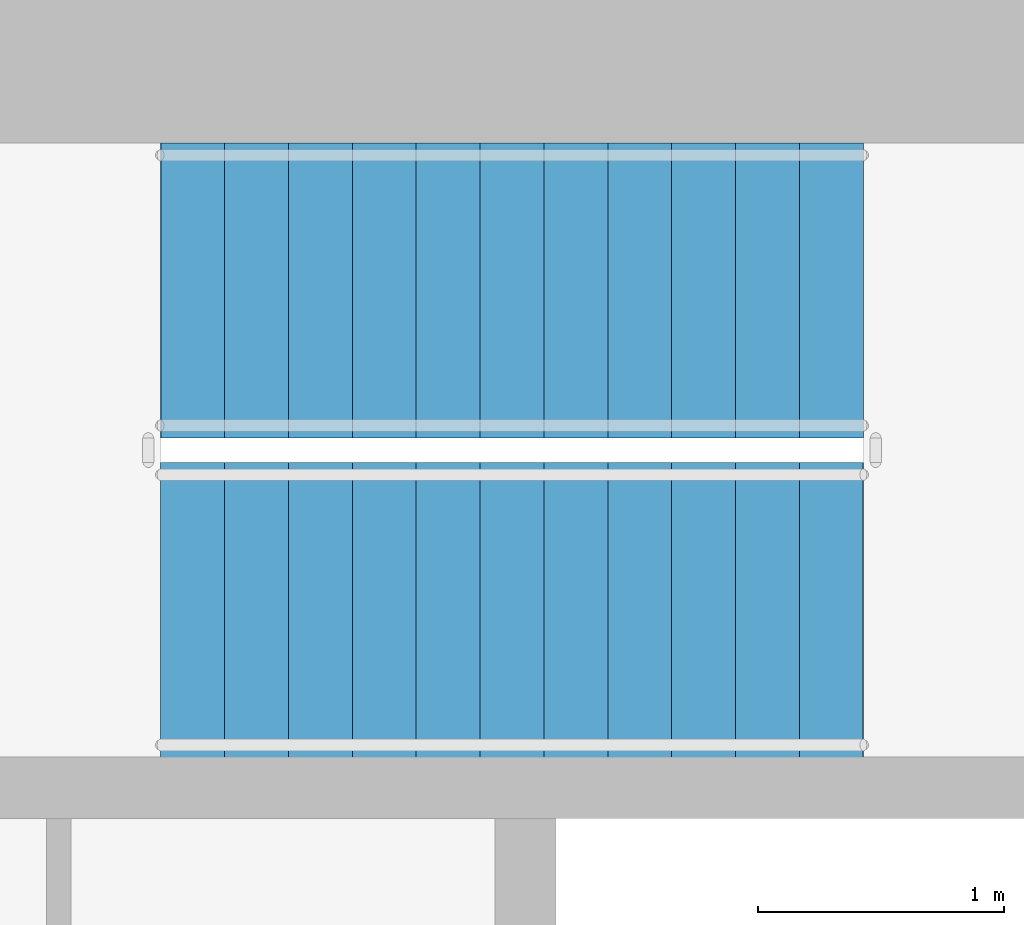
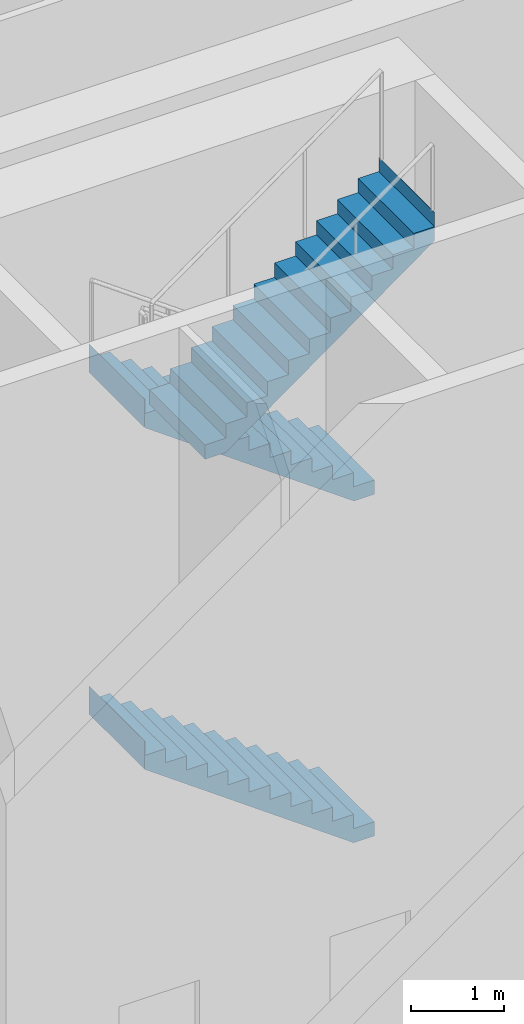
# One storey, part 22 of 35: 3 stair flights, 1 element without a shape of its own.
"""IFC4 building model written with IfcOpenShell, lengths in metres."""

from ifc_helpers import new_model, si_unit, direction, frame, origin, place, context, subcontext, project, spatial, triangles, material, type_object, element, aggregate, save


model = new_model("IFC4")

# Units and contexts
model_context = context("Model", 3, precision=1e-05, world=origin(), true_north=direction((0.0, 1.0)))
body_context = subcontext(model_context, "Body", "Model", "MODEL_VIEW")
ifc_project = project(units=[si_unit("LENGTHUNIT", "METRE"), si_unit("AREAUNIT", "SQUARE_METRE"), si_unit("VOLUMEUNIT", "CUBIC_METRE"), si_unit("PLANEANGLEUNIT", "RADIAN"), si_unit("MASSUNIT", "GRAM", prefix="KILO")], contexts=[model_context])

# Site, building, storey
site_placement = place(None, origin())
site = spatial("IfcSite", under=ifc_project, at=site_placement, CompositionType="ELEMENT")
building_placement = place(site_placement, origin())
building = spatial("IfcBuilding", under=site, at=building_placement, Name="Sahrelin Media Tower", CompositionType="ELEMENT")
storey_placement = place(building_placement, frame((0.0, 0.0, 8.0)))
storey = spatial("IfcBuildingStorey", under=building, at=storey_placement, Name="L01", CompositionType="ELEMENT", Elevation=8.0)

# Stair, stair flights
ifc_material = material(Name="Concrete C40/50", Category="concrete")
stair_type = type_object("IfcStairType", Name="Exit stair 1200", PredefinedType="HALF_TURN_STAIR", material=ifc_material)
stair_placement = place(storey_placement, origin())
stair = element("IfcStair", 1, at=stair_placement, inside=storey, type_object=stair_type, Name="L01 Exit stair ST3", PredefinedType="HALF_TURN_STAIR")
stair_flight_type = type_object("IfcStairFlightType", Name="Stair flight 1200", PredefinedType="STRAIGHT", material=ifc_material)
stair_flight_1_placement = place(storey_placement, frame((7.675048828125, 6.0, 0.0), z_axis=(0.0, 0.0, 1.0), x_axis=(-1.0, 0.0, 0.0)))
stair_flight_1 = element("IfcStairFlight", 2, at=stair_flight_1_placement, type_object=stair_flight_type, Name="ST3 flight 1", NumberOfRisers=12, NumberOfTreads=11, PredefinedType="STRAIGHT", RiserHeight=0.1875, TreadLength=0.26, context=body_context, shape_type="Tessellation", body=[
    triangles([(0.25634765625, 0.60009765625, 0.0), (0.25634765625, 0.300048828125, 0.0), (0.25634765625, 0.0, 0.0), (0.25634765625, -0.300048828125, 0.0), (0.25634765625, -0.60009765625, 0.0), (2.860107421875, 0.60009765625, 1.877685546875), (2.860107421875, 0.300048828125, 1.877685546875), (2.860107421875, 0.0, 1.877685546875), (2.860107421875, -0.300048828125, 1.877685546875), (2.860107421875, -0.60009765625, 1.877685546875), (2.860107421875, 0.60009765625, 2.25), (2.860107421875, 0.300048828125, 2.25), (2.860107421875, 0.0, 2.25), (2.860107421875, -0.300048828125, 2.25), (2.860107421875, -0.60009765625, 2.25), (2.85791015625, 0.60009765625, 2.25), (2.85791015625, 0.300048828125, 2.25), (2.85791015625, 0.0, 2.25), (2.85791015625, -0.300048828125, 2.25), (2.85791015625, -0.60009765625, 2.25), (2.85791015625, 0.60009765625, 2.0625), (2.85791015625, 0.300048828125, 2.0625), (2.85791015625, 0.0, 2.0625), (2.85791015625, -0.300048828125, 2.0625), (2.85791015625, -0.60009765625, 2.0625), (2.60009765625, 0.60009765625, 2.0625), (2.60009765625, 0.300048828125, 2.0625), (2.60009765625, 0.0, 2.0625), (2.60009765625, -0.300048828125, 2.0625), (2.60009765625, -0.60009765625, 2.0625), (2.60009765625, 0.60009765625, 1.875), (2.60009765625, 0.300048828125, 1.875), (2.60009765625, 0.0, 1.875), (2.60009765625, -0.300048828125, 1.875), (2.60009765625, -0.60009765625, 1.875), (2.340087890625, 0.60009765625, 1.875), (2.340087890625, 0.300048828125, 1.875), (2.340087890625, 0.0, 1.875), (2.340087890625, -0.300048828125, 1.875), (2.340087890625, -0.60009765625, 1.875), (2.340087890625, 0.60009765625, 1.6875), (2.340087890625, 0.300048828125, 1.6875), (2.340087890625, 0.0, 1.6875), (2.340087890625, -0.300048828125, 1.6875), (2.340087890625, -0.60009765625, 1.6875), (2.080078125, 0.60009765625, 1.6875), (2.080078125, 0.300048828125, 1.6875), (2.080078125, 0.0, 1.6875), (2.080078125, -0.300048828125, 1.6875), (2.080078125, -0.60009765625, 1.6875), (2.080078125, 0.60009765625, 1.5), (2.080078125, 0.300048828125, 1.5), (2.080078125, 0.0, 1.5), (2.080078125, -0.300048828125, 1.5), (2.080078125, -0.60009765625, 1.5), (1.820068359375, 0.60009765625, 1.5), (1.820068359375, 0.300048828125, 1.5), (1.820068359375, 0.0, 1.5), (1.820068359375, -0.300048828125, 1.5), (1.820068359375, -0.60009765625, 1.5), (1.820068359375, 0.60009765625, 1.3125), (1.820068359375, 0.300048828125, 1.3125), (1.820068359375, 0.0, 1.3125), (1.820068359375, -0.300048828125, 1.3125), (1.820068359375, -0.60009765625, 1.3125), (1.56005859375, 0.60009765625, 1.3125), (1.56005859375, 0.300048828125, 1.3125), (1.56005859375, 0.0, 1.3125), (1.56005859375, -0.300048828125, 1.3125), (1.56005859375, -0.60009765625, 1.3125), (1.56005859375, 0.60009765625, 1.125), (1.56005859375, 0.300048828125, 1.125), (1.56005859375, 0.0, 1.125), (1.56005859375, -0.300048828125, 1.125), (1.56005859375, -0.60009765625, 1.125), (1.300048828125, 0.60009765625, 1.125), (1.300048828125, 0.300048828125, 1.125), (1.300048828125, 0.0, 1.125), (1.300048828125, -0.300048828125, 1.125), (1.300048828125, -0.60009765625, 1.125), (1.300048828125, 0.60009765625, 0.9375), (1.300048828125, 0.300048828125, 0.9375), (1.300048828125, 0.0, 0.9375), (1.300048828125, -0.300048828125, 0.9375), (1.300048828125, -0.60009765625, 0.9375), (1.0400390625, 0.60009765625, 0.9375), (1.0400390625, 0.300048828125, 0.9375), (1.0400390625, 0.0, 0.9375), (1.0400390625, -0.300048828125, 0.9375), (1.0400390625, -0.60009765625, 0.9375), (1.0400390625, 0.60009765625, 0.75), (1.0400390625, 0.300048828125, 0.75), (1.0400390625, 0.0, 0.75), (1.0400390625, -0.300048828125, 0.75), (1.0400390625, -0.60009765625, 0.75), (0.780029296875, 0.60009765625, 0.75), (0.780029296875, 0.300048828125, 0.75), (0.780029296875, 0.0, 0.75), (0.780029296875, -0.300048828125, 0.75), (0.780029296875, -0.60009765625, 0.75), (0.780029296875, 0.60009765625, 0.5625), (0.780029296875, 0.300048828125, 0.5625), (0.780029296875, 0.0, 0.5625), (0.780029296875, -0.300048828125, 0.5625), (0.780029296875, -0.60009765625, 0.5625), (0.52001953125, 0.60009765625, 0.5625), (0.52001953125, 0.300048828125, 0.5625), (0.52001953125, 0.0, 0.5625), (0.52001953125, -0.300048828125, 0.5625), (0.52001953125, -0.60009765625, 0.5625), (0.52001953125, 0.60009765625, 0.375), (0.52001953125, 0.300048828125, 0.375), (0.52001953125, 0.0, 0.375), (0.52001953125, -0.300048828125, 0.375), (0.52001953125, -0.60009765625, 0.375), (0.260009765625, 0.60009765625, 0.375), (0.260009765625, 0.300048828125, 0.375), (0.260009765625, 0.0, 0.375), (0.260009765625, -0.300048828125, 0.375), (0.260009765625, -0.60009765625, 0.375), (0.260009765625, 0.60009765625, 0.1875), (0.260009765625, 0.300048828125, 0.1875), (0.260009765625, 0.0, 0.1875), (0.260009765625, -0.300048828125, 0.1875), (0.260009765625, -0.60009765625, 0.1875), (0.0, 0.60009765625, 0.1875), (0.0, 0.300048828125, 0.1875), (0.0, 0.0, 0.1875), (0.0, -0.300048828125, 0.1875), (0.0, -0.60009765625, 0.1875), (0.0, 0.60009765625, 0.0), (0.0, 0.300048828125, 0.0), (0.0, 0.0, 0.0), (0.0, -0.300048828125, 0.0), (0.0, -0.60009765625, 0.0)], [[1, 6, 7], [1, 7, 2], [2, 7, 8], [2, 8, 3], [3, 8, 9], [3, 9, 4], [4, 9, 10], [4, 10, 5], [6, 11, 12], [6, 12, 7], [7, 12, 13], [7, 13, 8], [8, 13, 14], [8, 14, 9], [9, 14, 15], [9, 15, 10], [11, 16, 17], [11, 17, 12], [12, 17, 18], [12, 18, 13], [13, 18, 19], [13, 19, 14], [14, 19, 20], [14, 20, 15], [16, 21, 22], [16, 22, 17], [17, 22, 23], [17, 23, 18], [18, 23, 24], [18, 24, 19], [19, 24, 25], [19, 25, 20], [21, 26, 27], [21, 27, 22], [22, 27, 28], [22, 28, 23], [23, 28, 29], [23, 29, 24], [24, 29, 30], [24, 30, 25], [26, 31, 32], [26, 32, 27], [27, 32, 33], [27, 33, 28], [28, 33, 34], [28, 34, 29], [29, 34, 35], [29, 35, 30], [31, 36, 37], [31, 37, 32], [32, 37, 38], [32, 38, 33], [33, 38, 39], [33, 39, 34], [34, 39, 40], [34, 40, 35], [36, 41, 42], [36, 42, 37], [37, 42, 43], [37, 43, 38], [38, 43, 44], [38, 44, 39], [39, 44, 45], [39, 45, 40], [41, 46, 47], [41, 47, 42], [42, 47, 48], [42, 48, 43], [43, 48, 49], [43, 49, 44], [44, 49, 50], [44, 50, 45], [46, 51, 52], [46, 52, 47], [47, 52, 53], [47, 53, 48], [48, 53, 54], [48, 54, 49], [49, 54, 55], [49, 55, 50], [51, 56, 57], [51, 57, 52], [52, 57, 58], [52, 58, 53], [53, 58, 59], [53, 59, 54], [54, 59, 60], [54, 60, 55], [56, 61, 62], [56, 62, 57], [57, 62, 63], [57, 63, 58], [58, 63, 64], [58, 64, 59], [59, 64, 65], [59, 65, 60], [61, 66, 67], [61, 67, 62], [62, 67, 68], [62, 68, 63], [63, 68, 69], [63, 69, 64], [64, 69, 70], [64, 70, 65], [66, 71, 72], [66, 72, 67], [67, 72, 73], [67, 73, 68], [68, 73, 74], [68, 74, 69], [69, 74, 75], [69, 75, 70], [71, 76, 77], [71, 77, 72], [72, 77, 78], [72, 78, 73], [73, 78, 79], [73, 79, 74], [74, 79, 80], [74, 80, 75], [76, 81, 82], [76, 82, 77], [77, 82, 83], [77, 83, 78], [78, 83, 84], [78, 84, 79], [79, 84, 85], [79, 85, 80], [81, 86, 87], [81, 87, 82], [82, 87, 88], [82, 88, 83], [83, 88, 89], [83, 89, 84], [84, 89, 90], [84, 90, 85], [86, 91, 92], [86, 92, 87], [87, 92, 93], [87, 93, 88], [88, 93, 94], [88, 94, 89], [89, 94, 95], [89, 95, 90], [91, 96, 97], [91, 97, 92], [92, 97, 98], [92, 98, 93], [93, 98, 99], [93, 99, 94], [94, 99, 100], [94, 100, 95], [96, 101, 102], [96, 102, 97], [97, 102, 103], [97, 103, 98], [98, 103, 104], [98, 104, 99], [99, 104, 105], [99, 105, 100], [101, 106, 107], [101, 107, 102], [102, 107, 108], [102, 108, 103], [103, 108, 109], [103, 109, 104], [104, 109, 110], [104, 110, 105], [106, 111, 112], [106, 112, 107], [107, 112, 113], [107, 113, 108], [108, 113, 114], [108, 114, 109], [109, 114, 115], [109, 115, 110], [111, 116, 117], [111, 117, 112], [112, 117, 118], [112, 118, 113], [113, 118, 119], [113, 119, 114], [114, 119, 120], [114, 120, 115], [116, 121, 122], [116, 122, 117], [117, 122, 123], [117, 123, 118], [118, 123, 124], [118, 124, 119], [119, 124, 125], [119, 125, 120], [121, 126, 127], [121, 127, 122], [122, 127, 128], [122, 128, 123], [123, 128, 129], [123, 129, 124], [124, 129, 130], [124, 130, 125], [126, 131, 132], [126, 132, 127], [127, 132, 133], [127, 133, 128], [128, 133, 134], [128, 134, 129], [129, 134, 135], [129, 135, 130], [131, 1, 2], [131, 2, 132], [132, 2, 3], [132, 3, 133], [133, 3, 4], [133, 4, 134], [134, 4, 5], [134, 5, 135], [5, 130, 135], [1, 131, 126], [125, 115, 120], [121, 116, 111], [115, 105, 110], [111, 106, 101], [105, 95, 100], [101, 96, 91], [95, 85, 90], [91, 86, 81], [85, 75, 80], [81, 76, 71], [75, 65, 70], [71, 66, 61], [65, 55, 60], [61, 56, 51], [55, 45, 50], [51, 46, 41], [45, 35, 40], [41, 36, 31], [35, 25, 30], [31, 26, 21], [25, 15, 20], [21, 16, 11], [5, 125, 130], [1, 126, 121], [10, 35, 45], [6, 41, 31], [25, 10, 15], [21, 11, 6], [115, 125, 5], [111, 1, 121], [35, 10, 25], [31, 21, 6], [105, 115, 5], [101, 1, 111], [45, 55, 10], [41, 6, 51], [95, 105, 5], [91, 1, 101], [65, 10, 55], [61, 51, 6], [85, 95, 5], [81, 1, 91], [75, 10, 65], [71, 61, 6], [75, 85, 5], [71, 1, 81], [5, 10, 75], [1, 71, 6]], closed=True),
])
stair_flight_2_placement = place(storey_placement, frame((7.675048828125, 6.0, 4.5), z_axis=(0.0, 0.0, 1.0), x_axis=(-1.0, 0.0, 0.0)))
stair_flight_2 = element("IfcStairFlight", 3, at=stair_flight_2_placement, type_object=stair_flight_type, Name="ST3 flight 3", NumberOfRisers=12, NumberOfTreads=11, PredefinedType="STRAIGHT", RiserHeight=0.1875, TreadLength=0.26, context=body_context, shape_type="Tessellation", body=[
    triangles([(0.25634765625, 0.60009765625, 0.0), (0.25634765625, 0.300048828125, 0.0), (0.25634765625, 0.0, 0.0), (0.25634765625, -0.300048828125, 0.0), (0.25634765625, -0.60009765625, 0.0), (2.860107421875, 0.60009765625, 1.877685546875), (2.860107421875, 0.300048828125, 1.877685546875), (2.860107421875, 0.0, 1.877685546875), (2.860107421875, -0.300048828125, 1.877685546875), (2.860107421875, -0.60009765625, 1.877685546875), (2.860107421875, 0.60009765625, 2.25), (2.860107421875, 0.300048828125, 2.25), (2.860107421875, 0.0, 2.25), (2.860107421875, -0.300048828125, 2.25), (2.860107421875, -0.60009765625, 2.25), (2.85791015625, 0.60009765625, 2.25), (2.85791015625, 0.300048828125, 2.25), (2.85791015625, 0.0, 2.25), (2.85791015625, -0.300048828125, 2.25), (2.85791015625, -0.60009765625, 2.25), (2.85791015625, 0.60009765625, 2.0625), (2.85791015625, 0.300048828125, 2.0625), (2.85791015625, 0.0, 2.0625), (2.85791015625, -0.300048828125, 2.0625), (2.85791015625, -0.60009765625, 2.0625), (2.60009765625, 0.60009765625, 2.0625), (2.60009765625, 0.300048828125, 2.0625), (2.60009765625, 0.0, 2.0625), (2.60009765625, -0.300048828125, 2.0625), (2.60009765625, -0.60009765625, 2.0625), (2.60009765625, 0.60009765625, 1.875), (2.60009765625, 0.300048828125, 1.875), (2.60009765625, 0.0, 1.875), (2.60009765625, -0.300048828125, 1.875), (2.60009765625, -0.60009765625, 1.875), (2.340087890625, 0.60009765625, 1.875), (2.340087890625, 0.300048828125, 1.875), (2.340087890625, 0.0, 1.875), (2.340087890625, -0.300048828125, 1.875), (2.340087890625, -0.60009765625, 1.875), (2.340087890625, 0.60009765625, 1.6875), (2.340087890625, 0.300048828125, 1.6875), (2.340087890625, 0.0, 1.6875), (2.340087890625, -0.300048828125, 1.6875), (2.340087890625, -0.60009765625, 1.6875), (2.080078125, 0.60009765625, 1.6875), (2.080078125, 0.300048828125, 1.6875), (2.080078125, 0.0, 1.6875), (2.080078125, -0.300048828125, 1.6875), (2.080078125, -0.60009765625, 1.6875), (2.080078125, 0.60009765625, 1.5), (2.080078125, 0.300048828125, 1.5), (2.080078125, 0.0, 1.5), (2.080078125, -0.300048828125, 1.5), (2.080078125, -0.60009765625, 1.5), (1.820068359375, 0.60009765625, 1.5), (1.820068359375, 0.300048828125, 1.5), (1.820068359375, 0.0, 1.5), (1.820068359375, -0.300048828125, 1.5), (1.820068359375, -0.60009765625, 1.5), (1.820068359375, 0.60009765625, 1.3125), (1.820068359375, 0.300048828125, 1.3125), (1.820068359375, 0.0, 1.3125), (1.820068359375, -0.300048828125, 1.3125), (1.820068359375, -0.60009765625, 1.3125), (1.56005859375, 0.60009765625, 1.3125), (1.56005859375, 0.300048828125, 1.3125), (1.56005859375, 0.0, 1.3125), (1.56005859375, -0.300048828125, 1.3125), (1.56005859375, -0.60009765625, 1.3125), (1.56005859375, 0.60009765625, 1.125), (1.56005859375, 0.300048828125, 1.125), (1.56005859375, 0.0, 1.125), (1.56005859375, -0.300048828125, 1.125), (1.56005859375, -0.60009765625, 1.125), (1.300048828125, 0.60009765625, 1.125), (1.300048828125, 0.300048828125, 1.125), (1.300048828125, 0.0, 1.125), (1.300048828125, -0.300048828125, 1.125), (1.300048828125, -0.60009765625, 1.125), (1.300048828125, 0.60009765625, 0.9375), (1.300048828125, 0.300048828125, 0.9375), (1.300048828125, 0.0, 0.9375), (1.300048828125, -0.300048828125, 0.9375), (1.300048828125, -0.60009765625, 0.9375), (1.0400390625, 0.60009765625, 0.9375), (1.0400390625, 0.300048828125, 0.9375), (1.0400390625, 0.0, 0.9375), (1.0400390625, -0.300048828125, 0.9375), (1.0400390625, -0.60009765625, 0.9375), (1.0400390625, 0.60009765625, 0.75), (1.0400390625, 0.300048828125, 0.75), (1.0400390625, 0.0, 0.75), (1.0400390625, -0.300048828125, 0.75), (1.0400390625, -0.60009765625, 0.75), (0.780029296875, 0.60009765625, 0.75), (0.780029296875, 0.300048828125, 0.75), (0.780029296875, 0.0, 0.75), (0.780029296875, -0.300048828125, 0.75), (0.780029296875, -0.60009765625, 0.75), (0.780029296875, 0.60009765625, 0.5625), (0.780029296875, 0.300048828125, 0.5625), (0.780029296875, 0.0, 0.5625), (0.780029296875, -0.300048828125, 0.5625), (0.780029296875, -0.60009765625, 0.5625), (0.52001953125, 0.60009765625, 0.5625), (0.52001953125, 0.300048828125, 0.5625), (0.52001953125, 0.0, 0.5625), (0.52001953125, -0.300048828125, 0.5625), (0.52001953125, -0.60009765625, 0.5625), (0.52001953125, 0.60009765625, 0.375), (0.52001953125, 0.300048828125, 0.375), (0.52001953125, 0.0, 0.375), (0.52001953125, -0.300048828125, 0.375), (0.52001953125, -0.60009765625, 0.375), (0.260009765625, 0.60009765625, 0.375), (0.260009765625, 0.300048828125, 0.375), (0.260009765625, 0.0, 0.375), (0.260009765625, -0.300048828125, 0.375), (0.260009765625, -0.60009765625, 0.375), (0.260009765625, 0.60009765625, 0.1875), (0.260009765625, 0.300048828125, 0.1875), (0.260009765625, 0.0, 0.1875), (0.260009765625, -0.300048828125, 0.1875), (0.260009765625, -0.60009765625, 0.1875), (0.0, 0.60009765625, 0.1875), (0.0, 0.300048828125, 0.1875), (0.0, 0.0, 0.1875), (0.0, -0.300048828125, 0.1875), (0.0, -0.60009765625, 0.1875), (0.0, 0.60009765625, 0.0), (0.0, 0.300048828125, 0.0), (0.0, 0.0, 0.0), (0.0, -0.300048828125, 0.0), (0.0, -0.60009765625, 0.0)], [[1, 6, 7], [1, 7, 2], [2, 7, 8], [2, 8, 3], [3, 8, 9], [3, 9, 4], [4, 9, 10], [4, 10, 5], [6, 11, 12], [6, 12, 7], [7, 12, 13], [7, 13, 8], [8, 13, 14], [8, 14, 9], [9, 14, 15], [9, 15, 10], [11, 16, 17], [11, 17, 12], [12, 17, 18], [12, 18, 13], [13, 18, 19], [13, 19, 14], [14, 19, 20], [14, 20, 15], [16, 21, 22], [16, 22, 17], [17, 22, 23], [17, 23, 18], [18, 23, 24], [18, 24, 19], [19, 24, 25], [19, 25, 20], [21, 26, 27], [21, 27, 22], [22, 27, 28], [22, 28, 23], [23, 28, 29], [23, 29, 24], [24, 29, 30], [24, 30, 25], [26, 31, 32], [26, 32, 27], [27, 32, 33], [27, 33, 28], [28, 33, 34], [28, 34, 29], [29, 34, 35], [29, 35, 30], [31, 36, 37], [31, 37, 32], [32, 37, 38], [32, 38, 33], [33, 38, 39], [33, 39, 34], [34, 39, 40], [34, 40, 35], [36, 41, 42], [36, 42, 37], [37, 42, 43], [37, 43, 38], [38, 43, 44], [38, 44, 39], [39, 44, 45], [39, 45, 40], [41, 46, 47], [41, 47, 42], [42, 47, 48], [42, 48, 43], [43, 48, 49], [43, 49, 44], [44, 49, 50], [44, 50, 45], [46, 51, 52], [46, 52, 47], [47, 52, 53], [47, 53, 48], [48, 53, 54], [48, 54, 49], [49, 54, 55], [49, 55, 50], [51, 56, 57], [51, 57, 52], [52, 57, 58], [52, 58, 53], [53, 58, 59], [53, 59, 54], [54, 59, 60], [54, 60, 55], [56, 61, 62], [56, 62, 57], [57, 62, 63], [57, 63, 58], [58, 63, 64], [58, 64, 59], [59, 64, 65], [59, 65, 60], [61, 66, 67], [61, 67, 62], [62, 67, 68], [62, 68, 63], [63, 68, 69], [63, 69, 64], [64, 69, 70], [64, 70, 65], [66, 71, 72], [66, 72, 67], [67, 72, 73], [67, 73, 68], [68, 73, 74], [68, 74, 69], [69, 74, 75], [69, 75, 70], [71, 76, 77], [71, 77, 72], [72, 77, 78], [72, 78, 73], [73, 78, 79], [73, 79, 74], [74, 79, 80], [74, 80, 75], [76, 81, 82], [76, 82, 77], [77, 82, 83], [77, 83, 78], [78, 83, 84], [78, 84, 79], [79, 84, 85], [79, 85, 80], [81, 86, 87], [81, 87, 82], [82, 87, 88], [82, 88, 83], [83, 88, 89], [83, 89, 84], [84, 89, 90], [84, 90, 85], [86, 91, 92], [86, 92, 87], [87, 92, 93], [87, 93, 88], [88, 93, 94], [88, 94, 89], [89, 94, 95], [89, 95, 90], [91, 96, 97], [91, 97, 92], [92, 97, 98], [92, 98, 93], [93, 98, 99], [93, 99, 94], [94, 99, 100], [94, 100, 95], [96, 101, 102], [96, 102, 97], [97, 102, 103], [97, 103, 98], [98, 103, 104], [98, 104, 99], [99, 104, 105], [99, 105, 100], [101, 106, 107], [101, 107, 102], [102, 107, 108], [102, 108, 103], [103, 108, 109], [103, 109, 104], [104, 109, 110], [104, 110, 105], [106, 111, 112], [106, 112, 107], [107, 112, 113], [107, 113, 108], [108, 113, 114], [108, 114, 109], [109, 114, 115], [109, 115, 110], [111, 116, 117], [111, 117, 112], [112, 117, 118], [112, 118, 113], [113, 118, 119], [113, 119, 114], [114, 119, 120], [114, 120, 115], [116, 121, 122], [116, 122, 117], [117, 122, 123], [117, 123, 118], [118, 123, 124], [118, 124, 119], [119, 124, 125], [119, 125, 120], [121, 126, 127], [121, 127, 122], [122, 127, 128], [122, 128, 123], [123, 128, 129], [123, 129, 124], [124, 129, 130], [124, 130, 125], [126, 131, 132], [126, 132, 127], [127, 132, 133], [127, 133, 128], [128, 133, 134], [128, 134, 129], [129, 134, 135], [129, 135, 130], [131, 1, 2], [131, 2, 132], [132, 2, 3], [132, 3, 133], [133, 3, 4], [133, 4, 134], [134, 4, 5], [134, 5, 135], [5, 130, 135], [1, 131, 126], [125, 115, 120], [121, 116, 111], [115, 105, 110], [111, 106, 101], [105, 95, 100], [101, 96, 91], [95, 85, 90], [91, 86, 81], [85, 75, 80], [81, 76, 71], [75, 65, 70], [71, 66, 61], [65, 55, 60], [61, 56, 51], [55, 45, 50], [51, 46, 41], [45, 35, 40], [41, 36, 31], [35, 25, 30], [31, 26, 21], [25, 15, 20], [21, 16, 11], [5, 125, 130], [1, 126, 121], [10, 35, 45], [6, 41, 31], [25, 10, 15], [21, 11, 6], [115, 125, 5], [111, 1, 121], [35, 10, 25], [31, 21, 6], [105, 115, 5], [101, 1, 111], [45, 55, 10], [41, 6, 51], [95, 105, 5], [91, 1, 101], [65, 10, 55], [61, 51, 6], [85, 95, 5], [81, 1, 91], [75, 10, 65], [71, 61, 6], [75, 85, 5], [71, 1, 81], [5, 10, 75], [1, 71, 6]], closed=True),
])
stair_flight_3_placement = place(storey_placement, frame((4.81494140625, 4.699951171875, 6.75), z_axis=(0.0, 0.0, 1.0), x_axis=(1.0, 0.0, 0.0)))
stair_flight_3 = element("IfcStairFlight", 4, at=stair_flight_3_placement, type_object=stair_flight_type, Name="ST3 flight 4", NumberOfRisers=12, NumberOfTreads=11, PredefinedType="STRAIGHT", RiserHeight=0.1875, TreadLength=0.26, context=body_context, shape_type="Tessellation", body=[
    triangles([(0.25634765625, 0.60009765625, 0.0), (0.25634765625, 0.300048828125, 0.0), (0.25634765625, 0.0, 0.0), (0.25634765625, -0.300048828125, 0.0), (0.25634765625, -0.60009765625, 0.0), (2.860107421875, 0.60009765625, 1.877685546875), (2.860107421875, 0.300048828125, 1.877685546875), (2.860107421875, 0.0, 1.877685546875), (2.860107421875, -0.300048828125, 1.877685546875), (2.860107421875, -0.60009765625, 1.877685546875), (2.860107421875, 0.60009765625, 2.25), (2.860107421875, 0.300048828125, 2.25), (2.860107421875, 0.0, 2.25), (2.860107421875, -0.300048828125, 2.25), (2.860107421875, -0.60009765625, 2.25), (2.85791015625, 0.60009765625, 2.25), (2.85791015625, 0.300048828125, 2.25), (2.85791015625, 0.0, 2.25), (2.85791015625, -0.300048828125, 2.25), (2.85791015625, -0.60009765625, 2.25), (2.85791015625, 0.60009765625, 2.0625), (2.85791015625, 0.300048828125, 2.0625), (2.85791015625, 0.0, 2.0625), (2.85791015625, -0.300048828125, 2.0625), (2.85791015625, -0.60009765625, 2.0625), (2.60009765625, 0.60009765625, 2.0625), (2.60009765625, 0.300048828125, 2.0625), (2.60009765625, 0.0, 2.0625), (2.60009765625, -0.300048828125, 2.0625), (2.60009765625, -0.60009765625, 2.0625), (2.60009765625, 0.60009765625, 1.875), (2.60009765625, 0.300048828125, 1.875), (2.60009765625, 0.0, 1.875), (2.60009765625, -0.300048828125, 1.875), (2.60009765625, -0.60009765625, 1.875), (2.340087890625, 0.60009765625, 1.875), (2.340087890625, 0.300048828125, 1.875), (2.340087890625, 0.0, 1.875), (2.340087890625, -0.300048828125, 1.875), (2.340087890625, -0.60009765625, 1.875), (2.340087890625, 0.60009765625, 1.6875), (2.340087890625, 0.300048828125, 1.6875), (2.340087890625, 0.0, 1.6875), (2.340087890625, -0.300048828125, 1.6875), (2.340087890625, -0.60009765625, 1.6875), (2.080078125, 0.60009765625, 1.6875), (2.080078125, 0.300048828125, 1.6875), (2.080078125, 0.0, 1.6875), (2.080078125, -0.300048828125, 1.6875), (2.080078125, -0.60009765625, 1.6875), (2.080078125, 0.60009765625, 1.5), (2.080078125, 0.300048828125, 1.5), (2.080078125, 0.0, 1.5), (2.080078125, -0.300048828125, 1.5), (2.080078125, -0.60009765625, 1.5), (1.820068359375, 0.60009765625, 1.5), (1.820068359375, 0.300048828125, 1.5), (1.820068359375, 0.0, 1.5), (1.820068359375, -0.300048828125, 1.5), (1.820068359375, -0.60009765625, 1.5), (1.820068359375, 0.60009765625, 1.3125), (1.820068359375, 0.300048828125, 1.3125), (1.820068359375, 0.0, 1.3125), (1.820068359375, -0.300048828125, 1.3125), (1.820068359375, -0.60009765625, 1.3125), (1.56005859375, 0.60009765625, 1.3125), (1.56005859375, 0.300048828125, 1.3125), (1.56005859375, 0.0, 1.3125), (1.56005859375, -0.300048828125, 1.3125), (1.56005859375, -0.60009765625, 1.3125), (1.56005859375, 0.60009765625, 1.125), (1.56005859375, 0.300048828125, 1.125), (1.56005859375, 0.0, 1.125), (1.56005859375, -0.300048828125, 1.125), (1.56005859375, -0.60009765625, 1.125), (1.300048828125, 0.60009765625, 1.125), (1.300048828125, 0.300048828125, 1.125), (1.300048828125, 0.0, 1.125), (1.300048828125, -0.300048828125, 1.125), (1.300048828125, -0.60009765625, 1.125), (1.300048828125, 0.60009765625, 0.9375), (1.300048828125, 0.300048828125, 0.9375), (1.300048828125, 0.0, 0.9375), (1.300048828125, -0.300048828125, 0.9375), (1.300048828125, -0.60009765625, 0.9375), (1.0400390625, 0.60009765625, 0.9375), (1.0400390625, 0.300048828125, 0.9375), (1.0400390625, 0.0, 0.9375), (1.0400390625, -0.300048828125, 0.9375), (1.0400390625, -0.60009765625, 0.9375), (1.0400390625, 0.60009765625, 0.75), (1.0400390625, 0.300048828125, 0.75), (1.0400390625, 0.0, 0.75), (1.0400390625, -0.300048828125, 0.75), (1.0400390625, -0.60009765625, 0.75), (0.780029296875, 0.60009765625, 0.75), (0.780029296875, 0.300048828125, 0.75), (0.780029296875, 0.0, 0.75), (0.780029296875, -0.300048828125, 0.75), (0.780029296875, -0.60009765625, 0.75), (0.780029296875, 0.60009765625, 0.5625), (0.780029296875, 0.300048828125, 0.5625), (0.780029296875, 0.0, 0.5625), (0.780029296875, -0.300048828125, 0.5625), (0.780029296875, -0.60009765625, 0.5625), (0.52001953125, 0.60009765625, 0.5625), (0.52001953125, 0.300048828125, 0.5625), (0.52001953125, 0.0, 0.5625), (0.52001953125, -0.300048828125, 0.5625), (0.52001953125, -0.60009765625, 0.5625), (0.52001953125, 0.60009765625, 0.375), (0.52001953125, 0.300048828125, 0.375), (0.52001953125, 0.0, 0.375), (0.52001953125, -0.300048828125, 0.375), (0.52001953125, -0.60009765625, 0.375), (0.260009765625, 0.60009765625, 0.375), (0.260009765625, 0.300048828125, 0.375), (0.260009765625, 0.0, 0.375), (0.260009765625, -0.300048828125, 0.375), (0.260009765625, -0.60009765625, 0.375), (0.260009765625, 0.60009765625, 0.1875), (0.260009765625, 0.300048828125, 0.1875), (0.260009765625, 0.0, 0.1875), (0.260009765625, -0.300048828125, 0.1875), (0.260009765625, -0.60009765625, 0.1875), (0.0, 0.60009765625, 0.1875), (0.0, 0.300048828125, 0.1875), (0.0, 0.0, 0.1875), (0.0, -0.300048828125, 0.1875), (0.0, -0.60009765625, 0.1875), (0.0, 0.60009765625, 0.0), (0.0, 0.300048828125, 0.0), (0.0, 0.0, 0.0), (0.0, -0.300048828125, 0.0), (0.0, -0.60009765625, 0.0)], [[1, 6, 7], [1, 7, 2], [2, 7, 8], [2, 8, 3], [3, 8, 9], [3, 9, 4], [4, 9, 10], [4, 10, 5], [6, 11, 12], [6, 12, 7], [7, 12, 13], [7, 13, 8], [8, 13, 14], [8, 14, 9], [9, 14, 15], [9, 15, 10], [11, 16, 17], [11, 17, 12], [12, 17, 18], [12, 18, 13], [13, 18, 19], [13, 19, 14], [14, 19, 20], [14, 20, 15], [16, 21, 22], [16, 22, 17], [17, 22, 23], [17, 23, 18], [18, 23, 24], [18, 24, 19], [19, 24, 25], [19, 25, 20], [21, 26, 27], [21, 27, 22], [22, 27, 28], [22, 28, 23], [23, 28, 29], [23, 29, 24], [24, 29, 30], [24, 30, 25], [26, 31, 32], [26, 32, 27], [27, 32, 33], [27, 33, 28], [28, 33, 34], [28, 34, 29], [29, 34, 35], [29, 35, 30], [31, 36, 37], [31, 37, 32], [32, 37, 38], [32, 38, 33], [33, 38, 39], [33, 39, 34], [34, 39, 40], [34, 40, 35], [36, 41, 42], [36, 42, 37], [37, 42, 43], [37, 43, 38], [38, 43, 44], [38, 44, 39], [39, 44, 45], [39, 45, 40], [41, 46, 47], [41, 47, 42], [42, 47, 48], [42, 48, 43], [43, 48, 49], [43, 49, 44], [44, 49, 50], [44, 50, 45], [46, 51, 52], [46, 52, 47], [47, 52, 53], [47, 53, 48], [48, 53, 54], [48, 54, 49], [49, 54, 55], [49, 55, 50], [51, 56, 57], [51, 57, 52], [52, 57, 58], [52, 58, 53], [53, 58, 59], [53, 59, 54], [54, 59, 60], [54, 60, 55], [56, 61, 62], [56, 62, 57], [57, 62, 63], [57, 63, 58], [58, 63, 64], [58, 64, 59], [59, 64, 65], [59, 65, 60], [61, 66, 67], [61, 67, 62], [62, 67, 68], [62, 68, 63], [63, 68, 69], [63, 69, 64], [64, 69, 70], [64, 70, 65], [66, 71, 72], [66, 72, 67], [67, 72, 73], [67, 73, 68], [68, 73, 74], [68, 74, 69], [69, 74, 75], [69, 75, 70], [71, 76, 77], [71, 77, 72], [72, 77, 78], [72, 78, 73], [73, 78, 79], [73, 79, 74], [74, 79, 80], [74, 80, 75], [76, 81, 82], [76, 82, 77], [77, 82, 83], [77, 83, 78], [78, 83, 84], [78, 84, 79], [79, 84, 85], [79, 85, 80], [81, 86, 87], [81, 87, 82], [82, 87, 88], [82, 88, 83], [83, 88, 89], [83, 89, 84], [84, 89, 90], [84, 90, 85], [86, 91, 92], [86, 92, 87], [87, 92, 93], [87, 93, 88], [88, 93, 94], [88, 94, 89], [89, 94, 95], [89, 95, 90], [91, 96, 97], [91, 97, 92], [92, 97, 98], [92, 98, 93], [93, 98, 99], [93, 99, 94], [94, 99, 100], [94, 100, 95], [96, 101, 102], [96, 102, 97], [97, 102, 103], [97, 103, 98], [98, 103, 104], [98, 104, 99], [99, 104, 105], [99, 105, 100], [101, 106, 107], [101, 107, 102], [102, 107, 108], [102, 108, 103], [103, 108, 109], [103, 109, 104], [104, 109, 110], [104, 110, 105], [106, 111, 112], [106, 112, 107], [107, 112, 113], [107, 113, 108], [108, 113, 114], [108, 114, 109], [109, 114, 115], [109, 115, 110], [111, 116, 117], [111, 117, 112], [112, 117, 118], [112, 118, 113], [113, 118, 119], [113, 119, 114], [114, 119, 120], [114, 120, 115], [116, 121, 122], [116, 122, 117], [117, 122, 123], [117, 123, 118], [118, 123, 124], [118, 124, 119], [119, 124, 125], [119, 125, 120], [121, 126, 127], [121, 127, 122], [122, 127, 128], [122, 128, 123], [123, 128, 129], [123, 129, 124], [124, 129, 130], [124, 130, 125], [126, 131, 132], [126, 132, 127], [127, 132, 133], [127, 133, 128], [128, 133, 134], [128, 134, 129], [129, 134, 135], [129, 135, 130], [131, 1, 2], [131, 2, 132], [132, 2, 3], [132, 3, 133], [133, 3, 4], [133, 4, 134], [134, 4, 5], [134, 5, 135], [5, 130, 135], [1, 131, 126], [125, 115, 120], [121, 116, 111], [115, 105, 110], [111, 106, 101], [105, 95, 100], [101, 96, 91], [95, 85, 90], [91, 86, 81], [85, 75, 80], [81, 76, 71], [75, 65, 70], [71, 66, 61], [65, 55, 60], [61, 56, 51], [55, 45, 50], [51, 46, 41], [45, 35, 40], [41, 36, 31], [35, 25, 30], [31, 26, 21], [25, 15, 20], [21, 16, 11], [5, 125, 130], [1, 126, 121], [10, 35, 45], [6, 41, 31], [25, 10, 15], [21, 11, 6], [115, 125, 5], [111, 1, 121], [35, 10, 25], [31, 21, 6], [105, 115, 5], [101, 1, 111], [45, 55, 10], [41, 6, 51], [95, 105, 5], [91, 1, 101], [65, 10, 55], [61, 51, 6], [85, 95, 5], [81, 1, 91], [75, 10, 65], [71, 61, 6], [75, 85, 5], [71, 1, 81], [5, 10, 75], [1, 71, 6]], closed=True),
])
aggregate(stair, [stair_flight_1, stair_flight_2, stair_flight_3])

save(model, "model.ifc")
